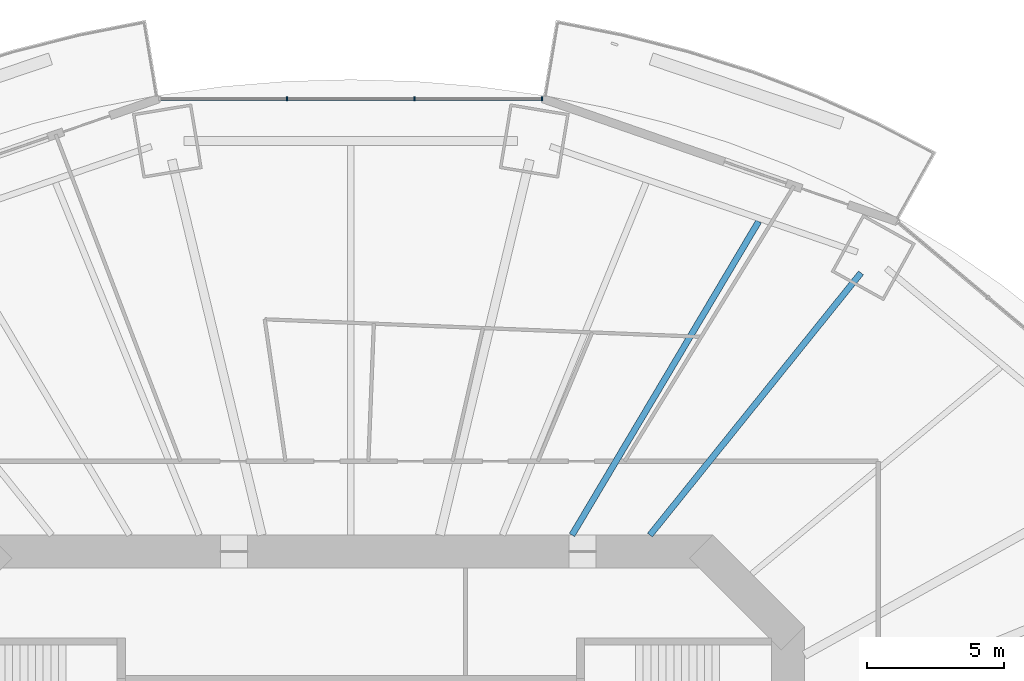
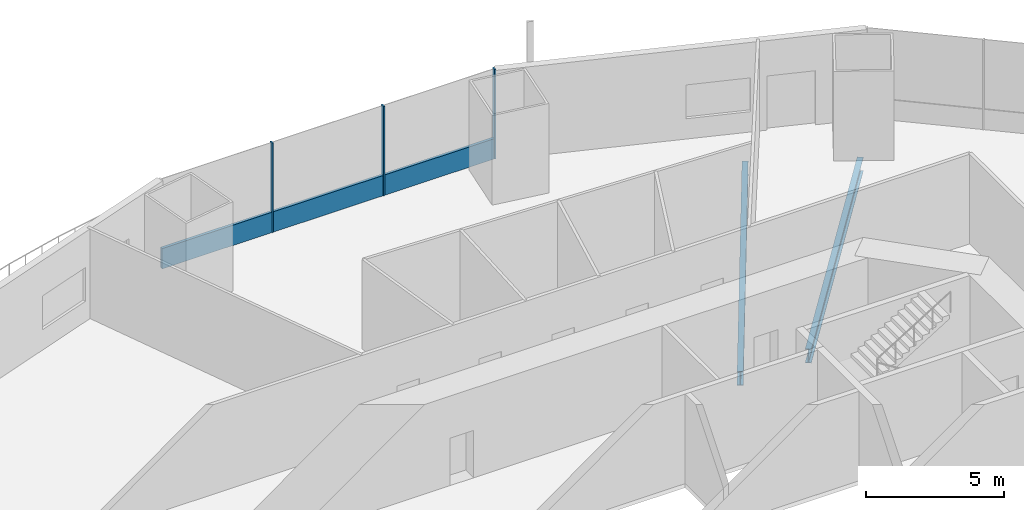
# One storey, part 9 of 23: 4 members, 2 beams, 1 element without a shape of its own.
"""IFC4 building model written with IfcOpenShell, lengths in metres."""

from ifc_helpers import new_model, si_unit, direction, frame, origin, origin_2d, place, context, subcontext, project, spatial, rectangle, i_section, extrude, material, material_profile, profile_set, type_object, element, aggregate, save


model = new_model("IFC4")

# Units and contexts
model_context = context("Model", 3, precision=1e-05, world=origin(), true_north=direction((0.0, 1.0)))
body_context = subcontext(model_context, "Body", "Model", "MODEL_VIEW")
ifc_project = project(units=[si_unit("LENGTHUNIT", "METRE"), si_unit("AREAUNIT", "SQUARE_METRE"), si_unit("VOLUMEUNIT", "CUBIC_METRE"), si_unit("PLANEANGLEUNIT", "RADIAN"), si_unit("MASSUNIT", "GRAM", prefix="KILO")], contexts=[model_context])

# Site, building, storey
site_placement = place(None, origin())
site = spatial("IfcSite", under=ifc_project, at=site_placement, CompositionType="ELEMENT")
building_placement = place(site_placement, origin())
building = spatial("IfcBuilding", under=site, at=building_placement, Name="Marenthal Gate Tower", CompositionType="ELEMENT")
storey_placement = place(building_placement, frame((0.0, 0.0, 62.050048828125)))
storey = spatial("IfcBuildingStorey", under=building, at=storey_placement, Name="L11", CompositionType="ELEMENT", Elevation=62.050048828125)

# Curtain wall, members
ifc_material_1 = material(Name="Aluminium and glass", Category="aluminium")
curtain_wall_type = type_object("IfcCurtainWallType", Name="Curtain wall typical low", PredefinedType="NOTDEFINED", material=ifc_material_1)
curtain_wall_placement = place(storey_placement, origin())
curtain_wall = element("IfcCurtainWall", 1, at=curtain_wall_placement, inside=storey, type_object=curtain_wall_type, Name="Curtain wall L11 bay 4", PredefinedType="NOTDEFINED")
ifc_material_2 = material(Name="Aluminium", Category="aluminium")
ifc_material_profile_1 = material_profile(ifc_material_2, rectangle(XDim=0.159912109375, YDim=0.06005859375, at=origin_2d()), Name="60x160 aluminium mullion")
ifc_profile_set_1 = profile_set([ifc_material_profile_1], Name="Aluminium")
member_type_1 = type_object("IfcMemberType", Name="Mullion 60x160 typical low", PredefinedType="MULLION", material=ifc_profile_set_1)
member_1_placement = place(storey_placement, frame((6.9921875, 29.569580078125, 0.0), z_axis=(0.0, 0.0, 1.0), x_axis=(0.0, -1.0, 0.0)))
member_1 = element("IfcMember", 2, at=member_1_placement, type_object=member_type_1, Name="Mullion L11 bay 4.1", PredefinedType="MULLION", context=body_context, shape_type="SweptSolid", body=[
    extrude(rectangle(XDim=0.159912109375, YDim=0.06005859375, at=origin_2d()), origin(), (0.0, 0.0, 1.0), 3.969970703125),
])
member_2_placement = place(storey_placement, frame((2.330810546875, 29.569580078125, 0.0), z_axis=(0.0, 0.0, 1.0), x_axis=(0.0, -1.0, 0.0)))
member_2 = element("IfcMember", 3, at=member_2_placement, type_object=member_type_1, Name="Mullion L11 bay 4.2", PredefinedType="MULLION", context=body_context, shape_type="SweptSolid", body=[
    extrude(rectangle(XDim=0.159912109375, YDim=0.06005859375, at=origin_2d()), origin(), (0.0, 0.0, 1.0), 3.969970703125),
])
member_3_placement = place(storey_placement, frame((-2.330810546875, 29.569580078125, 0.0), z_axis=(0.0, 0.0, 1.0), x_axis=(0.0, -1.0, 0.0)))
member_3 = element("IfcMember", 4, at=member_3_placement, type_object=member_type_1, Name="Mullion L11 bay 4.3", PredefinedType="MULLION", context=body_context, shape_type="SweptSolid", body=[
    extrude(rectangle(XDim=0.159912109375, YDim=0.06005859375, at=origin_2d()), origin(), (0.0, 0.0, 1.0), 3.969970703125),
])
ifc_material_3 = material(Name="Aluminium", Category="aluminium")
ifc_material_profile_2 = material_profile(ifc_material_3, rectangle(XDim=0.1201171875, YDim=0.89990234375, at=origin_2d()), Name="120x900 aluminium transom")
ifc_profile_set_2 = profile_set([ifc_material_profile_2], Name="Aluminium")
member_type_2 = type_object("IfcMemberType", Name="Transom 120x900 typical low", PredefinedType="USERDEFINED", material=ifc_profile_set_2)
member_4_placement = place(storey_placement, frame((6.96240234375, 29.569580078125, 0.449951171875), z_axis=(-1.0, 0.0, 0.0), x_axis=(0.0, -1.0, 0.0)))
member_4 = element("IfcMember", 5, at=member_4_placement, type_object=member_type_2, Name="Transom L11 bay 4", ObjectType="TRANSOM", PredefinedType="USERDEFINED", context=body_context, shape_type="SweptSolid", body=[
    extrude(rectangle(XDim=0.1201171875, YDim=0.89990234375, at=origin_2d()), origin(), (0.0, 0.0, 1.0), 13.9248046875),
])
aggregate(curtain_wall, [member_1, member_2, member_3, member_4])

# Beams
ifc_material_4 = material(Name="Steel S355", Category="steel")
ifc_material_profile_3 = material_profile(ifc_material_4, i_section(OverallWidth=0.22900390625, OverallDepth=0.612060546875, WebThickness=0.011962890625, FlangeThickness=0.01953125, FilletRadius=0.0126953125, at=origin_2d()), Name="W610X125")
ifc_profile_set_3 = profile_set([ifc_material_profile_3], Name="Steel S355")
beam_type = type_object("IfcBeamType", Name="W610X125 beam", PredefinedType="BEAM", material=ifc_profile_set_3)
beam_1_placement = place(storey_placement, frame((18.669921875, 23.195068359375, -0.486083984375), z_axis=(-0.62702730147, -0.778997280618, 0.0), x_axis=(0.778997280618, -0.62702730147, 0.0)))
element("IfcBeam", 6, at=beam_1_placement, inside=storey, type_object=beam_type, Name="BM-L11-03", PredefinedType="BEAM", context=body_context, shape_type="SweptSolid", body=[
    extrude(i_section(OverallWidth=0.22900390625, OverallDepth=0.612060546875, WebThickness=0.011962890625, FlangeThickness=0.01953125, FilletRadius=0.0126953125, at=origin_2d()), origin(), (0.0, 0.0, 1.0), 12.317138671875),
])
beam_2_placement = place(storey_placement, frame((14.9248046875, 25.07568359375, -0.486083984375), z_axis=(-0.51146264721, -0.859305510578, 0.0), x_axis=(0.859305510578, -0.51146264721, 0.0)))
element("IfcBeam", 7, at=beam_2_placement, inside=storey, type_object=beam_type, Name="BM-L11-20", PredefinedType="BEAM", context=body_context, shape_type="SweptSolid", body=[
    extrude(i_section(OverallWidth=0.22900390625, OverallDepth=0.612060546875, WebThickness=0.011962890625, FlangeThickness=0.01953125, FilletRadius=0.0126953125, at=origin_2d()), origin(), (0.0, 0.0, 1.0), 13.3544921875),
])

save(model, "model.ifc")
